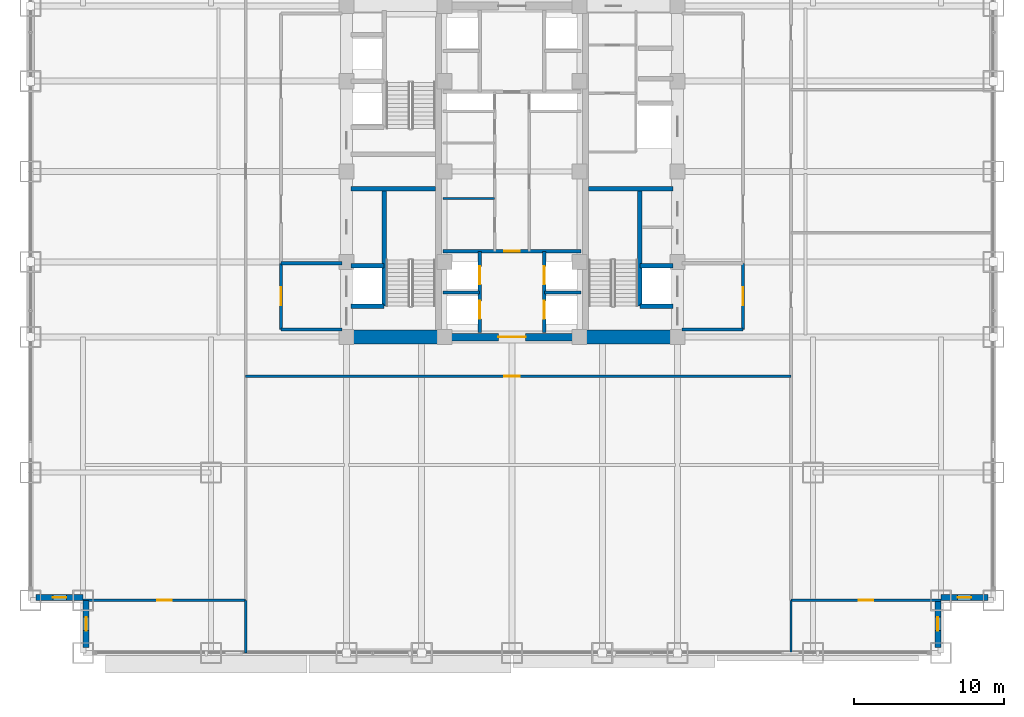
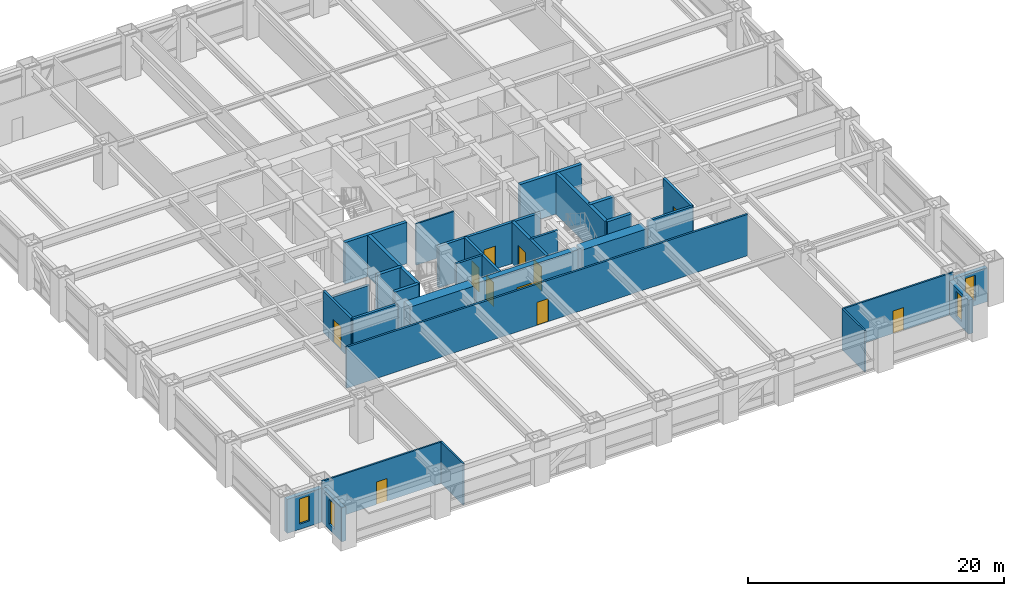
# One storey, part 23 of 31: 31 walls, 11 doors, 4 windows, 15 openings.
"""IFC4 building model written with IfcOpenShell, lengths in metres."""

import ifcopenshell
import ifcopenshell.guid

model = None  # the IFC model being written
_history = None  # IfcOwnerHistory: only IFC2X3 demands one
_inside = {}  # id of a spatial element -> (the spatial element, [elements in it])
_under = {}  # id of a project, library or spatial element -> (it, [spatial elements below it])
_declared = {}  # id of a project -> (the project, [libraries it declares])
_typed = {}  # id of a type object -> (the type object, [elements of that type])
_made_of = {}  # id of a material, layer set ... -> (it, [elements and type objects made of it])


def new_model(schema):
    """Start an empty IFC model of exactly this schema.

    Asked for "IFC4X3", IfcOpenShell would pick the latest addendum, in which some entities
    have other attributes; the version numbers below select the first issue.
    IFC2X3 requires an IfcOwnerHistory on every rooted entity: one is made here for all.
    """
    global model, _history
    if schema == "IFC4X3":
        model = ifcopenshell.file(schema_version=(4, 3, 0, 0))
    else:
        model = ifcopenshell.file(schema=schema)
    _inside.clear()
    _under.clear()
    _declared.clear()
    _typed.clear()
    _made_of.clear()
    _history = None
    if model.schema == "IFC2X3":
        org = make("IfcOrganization", Name="unknown")
        user = make(
            "IfcPersonAndOrganization",
            ThePerson=make("IfcPerson", FamilyName="unknown"),
            TheOrganization=org,
        )
        app = make(
            "IfcApplication",
            ApplicationDeveloper=org,
            Version="unknown",
            ApplicationFullName="unknown",
            ApplicationIdentifier="unknown",
        )
        _history = make(
            "IfcOwnerHistory",
            OwningUser=user,
            OwningApplication=app,
            ChangeAction="ADDED",
            CreationDate=0,
        )
    return model


def make(cls, **values):
    """One entity of the class cls with the attributes given. An attribute that is None is left unset."""
    return model.create_entity(
        cls, **{name: value for name, value in values.items() if value is not None}
    )


def rooted(cls, **values):
    """An entity with a GlobalId (a new one), such as an element, a storey or a relation."""
    return make(cls, GlobalId=ifcopenshell.guid.new(), OwnerHistory=_history, **values)


def si_unit(unit_type, name, prefix=None):
    """IfcSIUnit, for example si_unit("LENGTHUNIT", "METRE", prefix="MILLI")."""
    return make("IfcSIUnit", UnitType=unit_type, Prefix=prefix, Name=name)


def assignment(units):
    """IfcUnitAssignment: the units of a project."""
    return None if units is None else make("IfcUnitAssignment", Units=units)


def point(xyz):
    """IfcCartesianPoint."""
    return None if xyz is None else make("IfcCartesianPoint", Coordinates=xyz)


def direction(xyz):
    """IfcDirection."""
    return None if xyz is None else make("IfcDirection", DirectionRatios=xyz)


def frame(location, z_axis=None, x_axis=None):
    """IfcAxis2Placement3D, a coordinate frame: its origin and axes. An axis left out is left unset."""
    return make(
        "IfcAxis2Placement3D",
        Location=point(location),
        Axis=direction(z_axis),
        RefDirection=direction(x_axis),
    )


def frame_2d(location, x_axis=None):
    """IfcAxis2Placement2D, a coordinate frame in the plane: its origin and x axis."""
    return make(
        "IfcAxis2Placement2D", Location=point(location), RefDirection=direction(x_axis)
    )


def origin():
    """The frame at (0, 0, 0) with its axes left unset."""
    return frame((0.0, 0.0, 0.0))


def place(relative_to, where):
    """IfcLocalPlacement: puts the frame where relative to a parent placement (None: the world)."""
    return make(
        "IfcLocalPlacement", PlacementRelTo=relative_to, RelativePlacement=where
    )


def context(
    kind, dimensions, precision=None, world=None, true_north=None, identifier=None
):
    """IfcGeometricRepresentationContext, for example the 3D "Model" context."""
    return make(
        "IfcGeometricRepresentationContext",
        ContextIdentifier=identifier,
        ContextType=kind,
        CoordinateSpaceDimension=dimensions,
        Precision=precision,
        WorldCoordinateSystem=world,
        TrueNorth=true_north,
    )


def subcontext(parent, identifier, kind, view, scale=None):
    """IfcGeometricRepresentationSubContext, for example "Body" below "Model"."""
    return make(
        "IfcGeometricRepresentationSubContext",
        ContextIdentifier=identifier,
        ContextType=kind,
        ParentContext=parent,
        TargetScale=scale,
        TargetView=view,
    )


def project(units=None, contexts=None):
    """IfcProject with its units and contexts."""
    return rooted(
        "IfcProject",
        Name="project",
        RepresentationContexts=contexts,
        UnitsInContext=assignment(units),
    )


def spatial(cls, under=None, at=None, **own):
    """A site, building, storey or space (cls), placed at a placement, below another one or the project."""
    s = rooted(cls, ObjectPlacement=at, **own)
    if under is not None:
        _under.setdefault(under.id(), (under, []))[1].append(s)
    return s


def profile(cls, at=None, kind="AREA", **sizes):
    """A parametric profile (cls). Its sizes go by their IFC names, for example OverallWidth=200.0."""
    return make(cls, ProfileType=kind, Position=at, **sizes)


def rectangle(**sizes):
    """IfcRectangleProfileDef."""
    return profile("IfcRectangleProfileDef", **sizes)


def extrude(swept, where, along, depth):
    """IfcExtrudedAreaSolid: the profile swept, set in the frame where, extruded along a direction by depth."""
    return make(
        "IfcExtrudedAreaSolid",
        SweptArea=swept,
        Position=where,
        ExtrudedDirection=direction(along),
        Depth=depth,
    )


def shape(context_of_items, identifier, shape_type, items):
    """IfcShapeRepresentation: the items that make up one representation, for example the "Body"."""
    return make(
        "IfcShapeRepresentation",
        ContextOfItems=context_of_items,
        RepresentationIdentifier=identifier,
        RepresentationType=shape_type,
        Items=items,
    )


def source(mapping_origin, context_of_items, identifier, shape_type, items):
    """IfcRepresentationMap: a shape defined once, which mapped items show again and again."""
    return make(
        "IfcRepresentationMap",
        MappingOrigin=mapping_origin,
        MappedRepresentation=shape(context_of_items, identifier, shape_type, items),
    )


def transform(
    local_origin,
    x_axis=None,
    y_axis=None,
    z_axis=None,
    scale=None,
    scale2=None,
    scale3=None,
    uniform=True,
):
    """IfcCartesianTransformationOperator3D, or its non-uniform kind. x_axis, y_axis, z_axis: its Axis1, 2, 3."""
    if uniform:
        return make(
            "IfcCartesianTransformationOperator3D",
            Axis1=direction(x_axis),
            Axis2=direction(y_axis),
            LocalOrigin=point(local_origin),
            Scale=scale,
            Axis3=direction(z_axis),
        )
    return make(
        "IfcCartesianTransformationOperator3DnonUniform",
        Axis1=direction(x_axis),
        Axis2=direction(y_axis),
        LocalOrigin=point(local_origin),
        Scale=scale,
        Axis3=direction(z_axis),
        Scale2=scale2,
        Scale3=scale3,
    )


def mapped(mapping_source, mapping_target):
    """IfcMappedItem: shows the shape of a source again, moved by a transform."""
    return make(
        "IfcMappedItem", MappingSource=mapping_source, MappingTarget=mapping_target
    )


def material(Name=None, Category=None):
    """IfcMaterial."""
    return make("IfcMaterial", Name=Name, Category=Category)


def layer(
    of_material, thickness, ventilated=None, Name=None, Category=None, Priority=None
):
    """IfcMaterialLayer: one layer of a wall or slab, of a material (None: an air gap)."""
    return make(
        "IfcMaterialLayer",
        Material=of_material,
        LayerThickness=thickness,
        IsVentilated=ventilated,
        Name=Name,
        Category=Category,
        Priority=Priority,
    )


def layer_set(layers, Name=None):
    """IfcMaterialLayerSet."""
    return make("IfcMaterialLayerSet", MaterialLayers=layers, LayerSetName=Name)


def made_of(thing, what):
    """Note that an element or type object is made of a material, layer set ...; save() writes the relation."""
    if what is not None:
        _made_of.setdefault(what.id(), (what, []))[1].append(thing)
    return thing


def type_object(cls, material=None, **own):
    """A type object (cls), such as IfcWallType, which elements share."""
    return made_of(rooted(cls, **own), material)


def element(
    cls,
    number,
    at=None,
    inside=None,
    cuts=None,
    type_object=None,
    material=None,
    context=None,
    identifier="Body",
    shape_type=None,
    held_by="IfcProductDefinitionShape",
    body=None,
    shapes=None,
    **own,
):
    """One element of the class cls, such as IfcWall. Its Tag is "e" and its number.

    at: its placement. inside: the storey or other place that contains it. cuts: it is an
    opening in that element (IfcRelVoidsElement). A single representation is given by context,
    identifier, shape_type and body (its items); several are given by shapes. held_by: the class
    of the entity that holds the representations. save() writes the other relations.
    """
    e = rooted(cls, Tag="e%d" % number, ObjectPlacement=at, **own)
    if body is not None:
        shapes = [shape(context, identifier, shape_type, body)]
    if shapes is not None:
        e.Representation = make(held_by, Representations=shapes)
    if inside is not None:
        _inside.setdefault(inside.id(), (inside, []))[1].append(e)
    if cuts is not None:
        rooted(
            "IfcRelVoidsElement", RelatingBuildingElement=cuts, RelatedOpeningElement=e
        )
    if type_object is not None:
        _typed.setdefault(type_object.id(), (type_object, []))[1].append(e)
    return made_of(e, material)


def fill(opening, filler):
    """IfcRelFillsElement: the door or window that sits in an opening."""
    return rooted(
        "IfcRelFillsElement",
        RelatingOpeningElement=opening,
        RelatedBuildingElement=filler,
    )


def aggregate(whole, parts):
    """IfcRelAggregates: a whole, such as a stair, and the parts it consists of."""
    return rooted("IfcRelAggregates", RelatingObject=whole, RelatedObjects=parts)


def save(model, path):
    """Write the relations noted so far, then the file.

    IfcRelAggregates (storeys below a building ...), IfcRelContainedInSpatialStructure (elements
    in a storey), IfcRelDefinesByType, IfcRelAssociatesMaterial and IfcRelDeclares: one each for
    every whole, place, type object, material and project.
    """
    for whole, parts in _under.values():
        aggregate(whole, parts)
    for where, things in _inside.values():
        rooted(
            "IfcRelContainedInSpatialStructure",
            RelatedElements=things,
            RelatingStructure=where,
        )
    for kind, things in _typed.values():
        rooted("IfcRelDefinesByType", RelatedObjects=things, RelatingType=kind)
    for what, things in _made_of.values():
        rooted("IfcRelAssociatesMaterial", RelatedObjects=things, RelatingMaterial=what)
    for by, libraries in _declared.values():
        rooted("IfcRelDeclares", RelatingContext=by, RelatedDefinitions=libraries)
    model.write(path)


model = new_model("IFC4")

# Units and contexts
model_context = context("Model", 3, precision=1e-05, world=origin(), true_north=direction((0.0, 1.0)))
body_context = subcontext(model_context, "Body", "Model", "MODEL_VIEW")
ifc_project = project(units=[si_unit("LENGTHUNIT", "METRE"), si_unit("AREAUNIT", "SQUARE_METRE"), si_unit("VOLUMEUNIT", "CUBIC_METRE"), si_unit("PLANEANGLEUNIT", "RADIAN"), si_unit("MASSUNIT", "GRAM", prefix="KILO")], contexts=[model_context])

# Site, building, storey
site_placement = place(None, origin())
site = spatial("IfcSite", under=ifc_project, at=site_placement, CompositionType="ELEMENT")
building_placement = place(site_placement, origin())
building = spatial("IfcBuilding", under=site, at=building_placement, Name="Khorayat Bourse Tower", CompositionType="ELEMENT")
storey_placement = place(building_placement, frame((0.0, 0.0, 36.800048828125)))
storey = spatial("IfcBuildingStorey", under=building, at=storey_placement, Name="L07", CompositionType="ELEMENT", Elevation=36.800048828125)

# Walls
ifc_material_1 = material(Name="Concrete C72/90", Category="concrete")
ifc_layer_1 = layer(ifc_material_1, 0.89990234375)
ifc_layer_set_1 = layer_set([ifc_layer_1], Name="Concrete C72/90")
wall_type_1 = type_object("IfcWallType", Name="WAL-CORE-900", PredefinedType="SHEAR", material=ifc_layer_set_1)
shared_shape_1 = source(origin(), body_context, "Body", "SweptSolid", [
    extrude(rectangle(XDim=5.849853515625, YDim=0.89990234375, at=frame_2d((2.9248046875, 0.0))), origin(), (0.0, 0.0, 1.0), 3.93994140625),
])
for number, where, z_axis, x_axis, name in (
    (1, (-10.699951171875, -11.0, 0.0), (0.0, 0.0, 1.0), (1.0, 0.0, 0.0), "L07 Core Shear Wall PIER-WS"),
    (2, (4.85009765625, -11.0, 0.0), (0.0, 0.0, 1.0), (1.0, 0.0, 0.0), "L07 Core Shear Wall PIER-ES"),
):
    element("IfcWall", number, at=place(storey_placement, frame(where, z_axis=z_axis, x_axis=x_axis)), inside=storey, type_object=wall_type_1, Name=name, PredefinedType="SHEAR", context=body_context, shape_type="MappedRepresentation", body=[
        mapped(shared_shape_1, transform((0.0, 0.0, 0.0), scale=1.0)),
    ])
ifc_material_2 = material(Name="Concrete C50/60", Category="concrete")
ifc_layer_2 = layer(ifc_material_2, 0.300048828125)
ifc_layer_set_2 = layer_set([ifc_layer_2], Name="Concrete C50/60")
wall_type_2 = type_object("IfcWallType", Name="WAL-SHAFT-300", PredefinedType="SHEAR", material=ifc_layer_set_2)
shared_shape_2 = source(origin(), body_context, "Body", "SweptSolid", [
    extrude(rectangle(XDim=5.599853515625, YDim=0.300048828125, at=frame_2d((2.7998046875, 0.0))), origin(), (0.0, 0.0, 1.0), 3.93994140625),
])
for number, where, z_axis, x_axis, name in (
    (3, (-10.699951171875, -1.14990234375, 0.0), (0.0, 0.0, 1.0), (1.0, 0.0, 0.0), "L07 Core Shear Wall ST1-DIV"),
    (4, (5.10009765625, -1.14990234375, 0.0), (0.0, 0.0, 1.0), (1.0, 0.0, 0.0), "L07 Core Shear Wall ST3-DIV"),
):
    element("IfcWall", number, at=place(storey_placement, frame(where, z_axis=z_axis, x_axis=x_axis)), inside=storey, type_object=wall_type_2, Name=name, PredefinedType="SHEAR", context=body_context, shape_type="MappedRepresentation", body=[
        mapped(shared_shape_2, transform((0.0, 0.0, 0.0), scale=1.0)),
    ])

# Wall, opening, door
ifc_material_3 = material(Name="Concrete C52/65", Category="concrete")
ifc_layer_3 = layer(ifc_material_3, 0.5)
ifc_layer_set_3 = layer_set([ifc_layer_3], Name="Concrete C52/65")
wall_type_3 = type_object("IfcWallType", Name="WAL-CORE-500", PredefinedType="SHEAR", material=ifc_layer_set_3)
shared_shape_3 = source(origin(), body_context, "Body", "SweptSolid", [
    extrude(rectangle(XDim=9.2001953125, YDim=0.5, at=frame_2d((4.60009765625, 0.0))), origin(), (0.0, 0.0, 1.0), 3.93994140625),
])
wall_1_placement = place(storey_placement, frame((-4.60009765625, -11.0, 0.0), z_axis=(0.0, 0.0, 1.0), x_axis=(1.0, 0.0, 0.0)))
wall_1 = element("IfcWall", 5, at=wall_1_placement, inside=storey, type_object=wall_type_3, Name="L07 Core Shear Wall CORE-S", PredefinedType="SHEAR", context=body_context, shape_type="MappedRepresentation", body=[
    mapped(shared_shape_3, transform((0.0, 0.0, 0.0), scale=1.0)),
])
shared_shape_4 = source(origin(), body_context, "Body", "SweptSolid", [
    extrude(rectangle(XDim=1.800048828125, YDim=2.25, at=frame_2d((0.89990234375, 1.125))), frame((0.0, 0.260009765625, 0.0), z_axis=(0.0, -1.0, 0.0), x_axis=(1.0, 0.0, 0.0)), (0.0, 0.0, 1.0), 0.52001953125),
])
opening_1_placement = place(wall_1_placement, frame((3.699951171875, 0.0, 0.0)))
opening_1 = element("IfcOpeningElement", 6, at=opening_1_placement, cuts=wall_1, Name="Opening DI-03", PredefinedType="OPENING", context=body_context, shape_type="MappedRepresentation", body=[
    mapped(shared_shape_4, transform((0.0, 0.0, 0.0), scale=1.0)),
])
ifc_material_4 = material(Name="Fire-rated hardwood vision-panel double leaf", Category="wood")
door_type_1 = type_object("IfcDoorType", Name="DR-INT-CORR-1800", OperationType="NOTDEFINED", PredefinedType="DOOR", material=ifc_material_4)
shared_shape_5 = source(origin(), body_context, "Body", "SweptSolid", [
    extrude(rectangle(XDim=1.800048828125, YDim=2.25, at=frame_2d((0.89990234375, 1.125))), frame((0.0, 0.02490234375, 0.0), z_axis=(0.0, -1.0, 0.0), x_axis=(1.0, 0.0, 0.0)), (0.0, 0.0, 1.0), 0.050048828125),
])
door_1_placement = place(opening_1_placement, origin())
door_1 = element("IfcDoor", 7, at=door_1_placement, inside=storey, type_object=door_type_1, Name="L07 Low-Rise Lift Lobby Door", OperationType="SINGLE_SWING_LEFT", OverallHeight=2.25, OverallWidth=1.800048828125, PredefinedType="DOOR", context=body_context, shape_type="MappedRepresentation", body=[
    mapped(shared_shape_5, transform((0.0, 0.0, 0.0), scale=1.0)),
])
fill(opening_1, door_1)

# Wall, opening, window
ifc_material_5 = material(Name="Precast concrete C45/55", Category="concrete")
ifc_layer_4 = layer(ifc_material_5, 0.3798828125)
ifc_layer_set_4 = layer_set([ifc_layer_4], Name="Precast concrete C45/55")
wall_type_4 = type_object("IfcWallType", Name="WAL-EXT-STONE-380", PredefinedType="STANDARD", material=ifc_layer_set_4)
shared_shape_6 = source(origin(), body_context, "Body", "SweptSolid", [
    extrude(rectangle(XDim=3.1201171875, YDim=0.3798828125, at=frame_2d((1.56005859375, 0.0))), origin(), (0.0, 0.0, 1.0), 3.244873046875),
])
wall_2_placement = place(storey_placement, frame((-28.5, -28.31005859375, 0.0), z_axis=(0.0, 0.0, 1.0), x_axis=(-1.0, 0.0, 0.0)))
wall_2 = element("IfcWall", 8, at=wall_2_placement, inside=storey, type_object=wall_type_4, Name="L07 Re-Entrant Notch Limestone Wall SW-H", PredefinedType="STANDARD", context=body_context, shape_type="MappedRepresentation", body=[
    mapped(shared_shape_6, transform((0.0, 0.0, 0.0), scale=1.0)),
])
shared_shape_7 = source(origin(), body_context, "Body", "SweptSolid", [
    extrude(rectangle(XDim=0.89990234375, YDim=2.39990234375, at=frame_2d((0.449951171875, 1.199951171875))), frame((0.0, 0.199951171875, 0.0), z_axis=(0.0, -1.0, 0.0), x_axis=(1.0, 0.0, 0.0)), (0.0, 0.0, 1.0), 0.39990234375),
])
opening_2_placement = place(wall_2_placement, frame((1.110107421875, 0.0, 0.5)))
opening_2 = element("IfcOpeningElement", 9, at=opening_2_placement, cuts=wall_2, Name="Opening WN-03", PredefinedType="OPENING", context=body_context, shape_type="MappedRepresentation", body=[
    mapped(shared_shape_7, transform((0.0, 0.0, 0.0), scale=1.0)),
])
ifc_material_6 = material(Name="Deep-reveal solar-control double glazing", Category="glass")
window_type = type_object("IfcWindowType", Name="WIN-SLOT-900x2400", PartitioningType="SINGLE_PANEL", PredefinedType="WINDOW", material=ifc_material_6)
shared_shape_8 = source(origin(), body_context, "Body", "SweptSolid", [
    extrude(rectangle(XDim=0.89990234375, YDim=2.39990234375, at=frame_2d((0.449951171875, 1.199951171875))), frame((0.0, 0.030029296875, 0.0), z_axis=(0.0, -1.0, 0.0), x_axis=(1.0, 0.0, 0.0)), (0.0, 0.0, 1.0), 0.06005859375),
])
window_1_placement = place(opening_2_placement, origin())
window_1 = element("IfcWindow", 10, at=window_1_placement, inside=storey, type_object=window_type, Name="L07 Facade Window 1", OverallHeight=2.39990234375, OverallWidth=0.89990234375, PartitioningType="SINGLE_PANEL", PredefinedType="WINDOW", context=body_context, shape_type="MappedRepresentation", body=[
    mapped(shared_shape_8, transform((0.0, 0.0, 0.0), scale=1.0)),
])
fill(opening_2, window_1)

wall_3_placement = place(storey_placement, frame((-28.31005859375, -31.6201171875, 0.0), z_axis=(0.0, 0.0, 1.0), x_axis=(0.0, 1.0, 0.0)))
wall_3 = element("IfcWall", 11, at=wall_3_placement, inside=storey, type_object=wall_type_4, Name="L07 Re-Entrant Notch Limestone Wall SW-V", PredefinedType="STANDARD", context=body_context, shape_type="MappedRepresentation", body=[
    mapped(shared_shape_6, transform((0.0, 0.0, 0.0), scale=1.0)),
])
opening_3_placement = place(wall_3_placement, frame((1.110107421875, 0.0, 0.5)))
opening_3 = element("IfcOpeningElement", 12, at=opening_3_placement, cuts=wall_3, Name="Opening WN-03", PredefinedType="OPENING", context=body_context, shape_type="MappedRepresentation", body=[
    mapped(shared_shape_7, transform((0.0, 0.0, 0.0), scale=1.0)),
])
window_2_placement = place(opening_3_placement, origin())
window_2 = element("IfcWindow", 13, at=window_2_placement, inside=storey, type_object=window_type, Name="L07 Facade Window 1", OverallHeight=2.39990234375, OverallWidth=0.89990234375, PartitioningType="SINGLE_PANEL", PredefinedType="WINDOW", context=body_context, shape_type="MappedRepresentation", body=[
    mapped(shared_shape_8, transform((0.0, 0.0, 0.0), scale=1.0)),
])
fill(opening_3, window_2)

wall_4_placement = place(storey_placement, frame((28.31005859375, -31.6201171875, 0.0), z_axis=(0.0, 0.0, 1.0), x_axis=(0.0, 1.0, 0.0)))
wall_4 = element("IfcWall", 14, at=wall_4_placement, inside=storey, type_object=wall_type_4, Name="L07 Re-Entrant Notch Limestone Wall SE-V", PredefinedType="STANDARD", context=body_context, shape_type="MappedRepresentation", body=[
    mapped(shared_shape_6, transform((0.0, 0.0, 0.0), scale=1.0)),
])
opening_4_placement = place(wall_4_placement, frame((1.110107421875, 0.0, 0.5)))
opening_4 = element("IfcOpeningElement", 15, at=opening_4_placement, cuts=wall_4, Name="Opening WN-03", PredefinedType="OPENING", context=body_context, shape_type="MappedRepresentation", body=[
    mapped(shared_shape_7, transform((0.0, 0.0, 0.0), scale=1.0)),
])
window_3_placement = place(opening_4_placement, origin())
window_3 = element("IfcWindow", 16, at=window_3_placement, inside=storey, type_object=window_type, Name="L07 Facade Window 1", OverallHeight=2.39990234375, OverallWidth=0.89990234375, PartitioningType="SINGLE_PANEL", PredefinedType="WINDOW", context=body_context, shape_type="MappedRepresentation", body=[
    mapped(shared_shape_8, transform((0.0, 0.0, 0.0), scale=1.0)),
])
fill(opening_4, window_3)

wall_5_placement = place(storey_placement, frame((28.5, -28.31005859375, 0.0), z_axis=(0.0, 0.0, 1.0), x_axis=(1.0, 0.0, 0.0)))
wall_5 = element("IfcWall", 17, at=wall_5_placement, inside=storey, type_object=wall_type_4, Name="L07 Re-Entrant Notch Limestone Wall SE-H", PredefinedType="STANDARD", context=body_context, shape_type="MappedRepresentation", body=[
    mapped(shared_shape_6, transform((0.0, 0.0, 0.0), scale=1.0)),
])
opening_5_placement = place(wall_5_placement, frame((1.110107421875, 0.0, 0.5)))
opening_5 = element("IfcOpeningElement", 18, at=opening_5_placement, cuts=wall_5, Name="Opening WN-03", PredefinedType="OPENING", context=body_context, shape_type="MappedRepresentation", body=[
    mapped(shared_shape_7, transform((0.0, 0.0, 0.0), scale=1.0)),
])
window_4_placement = place(opening_5_placement, origin())
window_4 = element("IfcWindow", 19, at=window_4_placement, inside=storey, type_object=window_type, Name="L07 Facade Window 1", OverallHeight=2.39990234375, OverallWidth=0.89990234375, PartitioningType="SINGLE_PANEL", PredefinedType="WINDOW", context=body_context, shape_type="MappedRepresentation", body=[
    mapped(shared_shape_8, transform((0.0, 0.0, 0.0), scale=1.0)),
])
fill(opening_5, window_4)

# Walls
shared_shape_9 = source(origin(), body_context, "Body", "SweptSolid", [
    extrude(rectangle(XDim=7.800048828125, YDim=0.300048828125, at=frame_2d((3.89990234375, 0.0))), origin(), (0.0, 0.0, 1.0), 3.93994140625),
])
for number, where, z_axis, x_axis, name in (
    (20, (-8.5, -8.949951171875, 0.0), (0.0, 0.0, 1.0), (0.0, 1.0, 0.0), "L07 Partition WAL-L07-WPIER-SP"),
    (21, (8.5, -8.949951171875, 0.0), (0.0, 0.0, 1.0), (0.0, 1.0, 0.0), "L07 Partition WAL-L07-EPIER-SP"),
):
    element("IfcWall", number, at=place(storey_placement, frame(where, z_axis=z_axis, x_axis=x_axis)), inside=storey, type_object=wall_type_2, Name=name, PredefinedType="SHEAR", context=body_context, shape_type="MappedRepresentation", body=[
        mapped(shared_shape_9, transform((0.0, 0.0, 0.0), scale=1.0)),
    ])
shared_shape_10 = source(origin(), body_context, "Body", "SweptSolid", [
    extrude(rectangle(XDim=2.199951171875, YDim=0.300048828125, at=frame_2d((1.10009765625, 0.0))), origin(), (0.0, 0.0, 1.0), 3.93994140625),
])
for number, where, z_axis, x_axis, name in (
    (22, (-10.699951171875, -8.949951171875, 0.0), (0.0, 0.0, 1.0), (1.0, 0.0, 0.0), "L07 Partition WAL-L07-WPIER-FF1S"),
    (23, (-10.699951171875, -6.25, 0.0), (0.0, 0.0, 1.0), (1.0, 0.0, 0.0), "L07 Partition WAL-L07-WPIER-FF1N"),
    (24, (8.5, -8.949951171875, 0.0), (0.0, 0.0, 1.0), (1.0, 0.0, 0.0), "L07 Partition WAL-L07-EPIER-FF2S"),
    (25, (8.5, -6.25, 0.0), (0.0, 0.0, 1.0), (1.0, 0.0, 0.0), "L07 Partition WAL-L07-EPIER-FF2N"),
):
    element("IfcWall", number, at=place(storey_placement, frame(where, z_axis=z_axis, x_axis=x_axis)), inside=storey, type_object=wall_type_2, Name=name, PredefinedType="SHEAR", context=body_context, shape_type="MappedRepresentation", body=[
        mapped(shared_shape_10, transform((0.0, 0.0, 0.0), scale=1.0)),
    ])
ifc_material_7 = material(Name="Aerated concrete blockwork", Category="masonry")
ifc_layer_5 = layer(ifc_material_7, 0.219970703125)
ifc_layer_set_5 = layer_set([ifc_layer_5], Name="Aerated concrete blockwork")
wall_type_5 = type_object("IfcWallType", Name="WAL-PART-FF-220", PredefinedType="PARTITIONING", material=ifc_layer_set_5)
shared_shape_11 = source(origin(), body_context, "Body", "SweptSolid", [
    extrude(rectangle(XDim=4.050048828125, YDim=0.219970703125, at=frame_2d((2.02490234375, 0.0))), origin(), (0.0, 0.0, 1.0), 3.93994140625),
])
for number, where, z_axis, x_axis, name in (
    (26, (-15.35009765625, -10.5, 0.0), (0.0, 0.0, 1.0), (1.0, 0.0, 0.0), "L07 Partition WAL-L07-FFLW-S"),
    (27, (11.300048828125, -10.5, 0.0), (0.0, 0.0, 1.0), (1.0, 0.0, 0.0), "L07 Partition WAL-L07-FFLE-S"),
):
    element("IfcWall", number, at=place(storey_placement, frame(where, z_axis=z_axis, x_axis=x_axis)), inside=storey, type_object=wall_type_5, Name=name, PredefinedType="PARTITIONING", context=body_context, shape_type="MappedRepresentation", body=[
        mapped(shared_shape_11, transform((0.0, 0.0, 0.0), scale=1.0)),
    ])
shared_shape_12 = source(origin(), body_context, "Body", "SweptSolid", [
    extrude(rectangle(XDim=4.050048828125, YDim=0.219970703125, at=frame_2d((2.02490234375, 0.0))), origin(), (0.0, 0.0, 1.0), 3.0849609375),
])
wall_6_placement = place(storey_placement, frame((-15.35009765625, -6.10009765625, 0.0), z_axis=(0.0, 0.0, 1.0), x_axis=(1.0, 0.0, 0.0)))
element("IfcWall", 28, at=wall_6_placement, inside=storey, type_object=wall_type_5, Name="L07 Partition WAL-L07-FFLW-N", PredefinedType="PARTITIONING", context=body_context, shape_type="MappedRepresentation", body=[
    mapped(shared_shape_12, transform((0.0, 0.0, 0.0), scale=1.0)),
])

# Wall, opening, door
shared_shape_13 = source(origin(), body_context, "Body", "SweptSolid", [
    extrude(rectangle(XDim=4.39990234375, YDim=0.219970703125, at=frame_2d((2.199951171875, 0.0))), origin(), (0.0, 0.0, 1.0), 3.93994140625),
])
wall_7_placement = place(storey_placement, frame((-15.35009765625, -10.5, 0.0), z_axis=(0.0, 0.0, 1.0), x_axis=(0.0, 1.0, 0.0)))
wall_7 = element("IfcWall", 29, at=wall_7_placement, inside=storey, type_object=wall_type_5, Name="L07 Partition WAL-L07-FFLW-W", PredefinedType="PARTITIONING", context=body_context, shape_type="MappedRepresentation", body=[
    mapped(shared_shape_13, transform((0.0, 0.0, 0.0), scale=1.0)),
])
shared_shape_14 = source(origin(), body_context, "Body", "SweptSolid", [
    extrude(rectangle(XDim=1.199951171875, YDim=2.199951171875, at=frame_2d((0.60009765625, 1.10009765625))), frame((0.0, 0.119873046875, 0.0), z_axis=(0.0, -1.0, 0.0), x_axis=(1.0, 0.0, 0.0)), (0.0, 0.0, 1.0), 0.239990234375),
])
opening_6_placement = place(wall_7_placement, frame((1.60009765625, 0.0, 0.0)))
opening_6 = element("IfcOpeningElement", 30, at=opening_6_placement, cuts=wall_7, Name="Opening DI-02", PredefinedType="OPENING", context=body_context, shape_type="MappedRepresentation", body=[
    mapped(shared_shape_14, transform((0.0, 0.0, 0.0), scale=1.0)),
])
ifc_material_8 = material(Name="Fire-rated steel double-seal leaf", Category="steel")
door_type_2 = type_object("IfcDoorType", Name="DR-INT-FFLOBBY-1200", OperationType="NOTDEFINED", PredefinedType="DOOR", material=ifc_material_8)
shared_shape_15 = source(origin(), body_context, "Body", "SweptSolid", [
    extrude(rectangle(XDim=1.199951171875, YDim=2.199951171875, at=frame_2d((0.60009765625, 1.10009765625))), frame((0.0, 0.02490234375, 0.0), z_axis=(0.0, -1.0, 0.0), x_axis=(1.0, 0.0, 0.0)), (0.0, 0.0, 1.0), 0.050048828125),
])
door_2_placement = place(opening_6_placement, origin())
door_2 = element("IfcDoor", 31, at=door_2_placement, inside=storey, type_object=door_type_2, Name="L07 West Firefighting Lobby Door", OperationType="SINGLE_SWING_LEFT", OverallHeight=2.199951171875, OverallWidth=1.199951171875, PredefinedType="DOOR", context=body_context, shape_type="MappedRepresentation", body=[
    mapped(shared_shape_15, transform((0.0, 0.0, 0.0), scale=1.0)),
])
fill(opening_6, door_2)

wall_8_placement = place(storey_placement, frame((15.35009765625, -10.5, 0.0), z_axis=(0.0, 0.0, 1.0), x_axis=(0.0, 1.0, 0.0)))
wall_8 = element("IfcWall", 32, at=wall_8_placement, inside=storey, type_object=wall_type_5, Name="L07 Partition WAL-L07-FFLE-E", PredefinedType="PARTITIONING", context=body_context, shape_type="MappedRepresentation", body=[
    mapped(shared_shape_13, transform((0.0, 0.0, 0.0), scale=1.0)),
])
opening_7_placement = place(wall_8_placement, frame((1.60009765625, 0.0, 0.0)))
opening_7 = element("IfcOpeningElement", 33, at=opening_7_placement, cuts=wall_8, Name="Opening DI-02", PredefinedType="OPENING", context=body_context, shape_type="MappedRepresentation", body=[
    mapped(shared_shape_14, transform((0.0, 0.0, 0.0), scale=1.0)),
])
door_3_placement = place(opening_7_placement, origin())
door_3 = element("IfcDoor", 34, at=door_3_placement, inside=storey, type_object=door_type_2, Name="L07 East Firefighting Lobby Door", OperationType="SINGLE_SWING_RIGHT", OverallHeight=2.199951171875, OverallWidth=1.199951171875, PredefinedType="DOOR", context=body_context, shape_type="MappedRepresentation", body=[
    mapped(shared_shape_15, transform((0.0, 0.0, 0.0), scale=1.0)),
])
fill(opening_7, door_3)

# Wall, openings, doors
shared_shape_16 = source(origin(), body_context, "Body", "SweptSolid", [
    extrude(rectangle(XDim=5.39990234375, YDim=0.25, at=frame_2d((2.699951171875, 0.0))), origin(), (0.0, 0.0, 1.0), 3.93994140625),
])
wall_9_placement = place(storey_placement, frame((-2.14990234375, -10.699951171875, 0.0), z_axis=(0.0, 0.0, 1.0), x_axis=(0.0, 1.0, 0.0)))
wall_9 = element("IfcWall", 35, at=wall_9_placement, inside=storey, type_object=wall_type_2, Name="L07 Partition WAL-L07-B1-W", PredefinedType="SHEAR", context=body_context, shape_type="MappedRepresentation", body=[
    mapped(shared_shape_16, transform((0.0, 0.0, 0.0), scale=1.0)),
])
shared_shape_17 = source(origin(), body_context, "Body", "SweptSolid", [
    extrude(rectangle(XDim=1.199951171875, YDim=2.300048828125, at=frame_2d((0.60009765625, 1.14990234375))), frame((0.0, 0.135009765625, 0.0), z_axis=(0.0, -1.0, 0.0), x_axis=(1.0, 0.0, 0.0)), (0.0, 0.0, 1.0), 0.27001953125),
])
opening_8_placement = place(wall_9_placement, frame((0.89990234375, 0.0, 0.0)))
opening_8 = element("IfcOpeningElement", 36, at=opening_8_placement, cuts=wall_9, Name="Opening LD-01", PredefinedType="OPENING", context=body_context, shape_type="MappedRepresentation", body=[
    mapped(shared_shape_17, transform((0.0, 0.0, 0.0), scale=1.0)),
])
opening_9_placement = place(wall_9_placement, frame((3.199951171875, 0.0, 0.0)))
opening_9 = element("IfcOpeningElement", 37, at=opening_9_placement, cuts=wall_9, Name="Opening LD-01", PredefinedType="OPENING", context=body_context, shape_type="MappedRepresentation", body=[
    mapped(shared_shape_17, transform((0.0, 0.0, 0.0), scale=1.0)),
])
ifc_material_9 = material(Name="Brushed bronze stainless-steel sliding door", Category="steel")
door_type_3 = type_object("IfcDoorType", Name="DR-LIFT-PASS-1200", OperationType="NOTDEFINED", PredefinedType="DOOR", material=ifc_material_9)
shared_shape_18 = source(origin(), body_context, "Body", "SweptSolid", [
    extrude(rectangle(XDim=1.199951171875, YDim=2.300048828125, at=frame_2d((0.60009765625, 1.14990234375))), frame((0.0, 0.02490234375, 0.0), z_axis=(0.0, -1.0, 0.0), x_axis=(1.0, 0.0, 0.0)), (0.0, 0.0, 1.0), 0.050048828125),
])
door_4_placement = place(opening_8_placement, origin())
door_4 = element("IfcDoor", 38, at=door_4_placement, inside=storey, type_object=door_type_3, Name="L07 Lift PL-L1 Sliding Landing Door", OperationType="SLIDING_TO_LEFT", OverallHeight=2.300048828125, OverallWidth=1.199951171875, PredefinedType="DOOR", context=body_context, shape_type="MappedRepresentation", body=[
    mapped(shared_shape_18, transform((0.0, 0.0, 0.0), scale=1.0)),
])
fill(opening_8, door_4)
door_5_placement = place(opening_9_placement, origin())
door_5 = element("IfcDoor", 39, at=door_5_placement, inside=storey, type_object=door_type_3, Name="L07 Lift PL-L3 Sliding Landing Door", OperationType="SLIDING_TO_LEFT", OverallHeight=2.300048828125, OverallWidth=1.199951171875, PredefinedType="DOOR", context=body_context, shape_type="MappedRepresentation", body=[
    mapped(shared_shape_18, transform((0.0, 0.0, 0.0), scale=1.0)),
])
fill(opening_9, door_5)

wall_10_placement = place(storey_placement, frame((2.14990234375, -10.699951171875, 0.0), z_axis=(0.0, 0.0, 1.0), x_axis=(0.0, 1.0, 0.0)))
wall_10 = element("IfcWall", 40, at=wall_10_placement, inside=storey, type_object=wall_type_2, Name="L07 Partition WAL-L07-B1-E", PredefinedType="SHEAR", context=body_context, shape_type="MappedRepresentation", body=[
    mapped(shared_shape_16, transform((0.0, 0.0, 0.0), scale=1.0)),
])
opening_10_placement = place(wall_10_placement, frame((0.89990234375, 0.0, 0.0)))
opening_10 = element("IfcOpeningElement", 41, at=opening_10_placement, cuts=wall_10, Name="Opening LD-01", PredefinedType="OPENING", context=body_context, shape_type="MappedRepresentation", body=[
    mapped(shared_shape_17, transform((0.0, 0.0, 0.0), scale=1.0)),
])
opening_11_placement = place(wall_10_placement, frame((3.199951171875, 0.0, 0.0)))
opening_11 = element("IfcOpeningElement", 42, at=opening_11_placement, cuts=wall_10, Name="Opening LD-01", PredefinedType="OPENING", context=body_context, shape_type="MappedRepresentation", body=[
    mapped(shared_shape_17, transform((0.0, 0.0, 0.0), scale=1.0)),
])
door_6_placement = place(opening_10_placement, origin())
door_6 = element("IfcDoor", 43, at=door_6_placement, inside=storey, type_object=door_type_3, Name="L07 Lift PL-L2 Sliding Landing Door", OperationType="SLIDING_TO_LEFT", OverallHeight=2.300048828125, OverallWidth=1.199951171875, PredefinedType="DOOR", context=body_context, shape_type="MappedRepresentation", body=[
    mapped(shared_shape_18, transform((0.0, 0.0, 0.0), scale=1.0)),
])
fill(opening_10, door_6)
door_7_placement = place(opening_11_placement, origin())
door_7 = element("IfcDoor", 44, at=door_7_placement, inside=storey, type_object=door_type_3, Name="L07 Lift PL-L4 Sliding Landing Door", OperationType="SLIDING_TO_LEFT", OverallHeight=2.300048828125, OverallWidth=1.199951171875, PredefinedType="DOOR", context=body_context, shape_type="MappedRepresentation", body=[
    mapped(shared_shape_18, transform((0.0, 0.0, 0.0), scale=1.0)),
])
fill(opening_11, door_7)

# Walls
shared_shape_19 = source(origin(), body_context, "Body", "SweptSolid", [
    extrude(rectangle(XDim=2.4501953125, YDim=0.199951171875, at=frame_2d((1.22509765625, 0.0))), origin(), (0.0, 0.0, 1.0), 3.93994140625),
])
for number, where, z_axis, x_axis, name in (
    (45, (-4.60009765625, -8.050048828125, 0.0), (0.0, 0.0, 1.0), (1.0, 0.0, 0.0), "L07 Partition WAL-L07-B1-MW"),
    (46, (2.14990234375, -8.050048828125, 0.0), (0.0, 0.0, 1.0), (1.0, 0.0, 0.0), "L07 Partition WAL-L07-B1-ME"),
):
    element("IfcWall", number, at=place(storey_placement, frame(where, z_axis=z_axis, x_axis=x_axis)), inside=storey, type_object=wall_type_2, Name=name, PredefinedType="SHEAR", context=body_context, shape_type="MappedRepresentation", body=[
        mapped(shared_shape_19, transform((0.0, 0.0, 0.0), scale=1.0)),
    ])

# Wall, opening, door
shared_shape_20 = source(origin(), body_context, "Body", "SweptSolid", [
    extrude(rectangle(XDim=9.2001953125, YDim=0.25, at=frame_2d((4.60009765625, 0.0))), origin(), (0.0, 0.0, 1.0), 3.93994140625),
])
wall_11_placement = place(storey_placement, frame((-4.60009765625, -5.300048828125, 0.0), z_axis=(0.0, 0.0, 1.0), x_axis=(1.0, 0.0, 0.0)))
wall_11 = element("IfcWall", 47, at=wall_11_placement, inside=storey, type_object=wall_type_2, Name="L07 Partition WAL-L07-B1-N", PredefinedType="SHEAR", context=body_context, shape_type="MappedRepresentation", body=[
    mapped(shared_shape_20, transform((0.0, 0.0, 0.0), scale=1.0)),
])
shared_shape_21 = source(origin(), body_context, "Body", "SweptSolid", [
    extrude(rectangle(XDim=1.050048828125, YDim=2.199951171875, at=frame_2d((0.52490234375, 1.10009765625))), frame((0.0, 0.135009765625, 0.0), z_axis=(0.0, -1.0, 0.0), x_axis=(1.0, 0.0, 0.0)), (0.0, 0.0, 1.0), 0.27001953125),
])
opening_12_placement = place(wall_11_placement, frame((4.074951171875, 0.0, 0.0)))
opening_12 = element("IfcOpeningElement", 48, at=opening_12_placement, cuts=wall_11, Name="Opening DI-04", PredefinedType="OPENING", context=body_context, shape_type="MappedRepresentation", body=[
    mapped(shared_shape_21, transform((0.0, 0.0, 0.0), scale=1.0)),
])
ifc_material_10 = material(Name="Fire-rated oak veneer suite entrance door")
door_type_4 = type_object("IfcDoorType", Name="DR-INT-SUITE-1050", OperationType="NOTDEFINED", PredefinedType="DOOR", material=ifc_material_10)
shared_shape_22 = source(origin(), body_context, "Body", "SweptSolid", [
    extrude(rectangle(XDim=1.050048828125, YDim=2.199951171875, at=frame_2d((0.52490234375, 1.10009765625))), frame((0.0, 0.02490234375, 0.0), z_axis=(0.0, -1.0, 0.0), x_axis=(1.0, 0.0, 0.0)), (0.0, 0.0, 1.0), 0.050048828125),
])
door_8_placement = place(opening_12_placement, origin())
door_8 = element("IfcDoor", 49, at=door_8_placement, inside=storey, type_object=door_type_4, Name="L07 Core Spine South Door", OperationType="SINGLE_SWING_LEFT", OverallHeight=2.199951171875, OverallWidth=1.050048828125, PredefinedType="DOOR", context=body_context, shape_type="MappedRepresentation", body=[
    mapped(shared_shape_22, transform((0.0, 0.0, 0.0), scale=1.0)),
])
fill(opening_12, door_8)

# Wall
ifc_material_11 = material(Name="Moisture-resistant masonry partition", Category="masonry")
ifc_layer_6 = layer(ifc_material_11, 0.139892578125)
ifc_layer_set_6 = layer_set([ifc_layer_6], Name="Moisture-resistant masonry partition")
wall_type_6 = type_object("IfcWallType", Name="WAL-PART-WET-140", PredefinedType="PARTITIONING", material=ifc_layer_set_6)
shared_shape_23 = source(origin(), body_context, "Body", "SweptSolid", [
    extrude(rectangle(XDim=3.4501953125, YDim=0.139892578125, at=frame_2d((1.72509765625, 0.0))), origin(), (0.0, 0.0, 1.0), 3.93994140625),
])
wall_12_placement = place(storey_placement, frame((-4.60009765625, -1.800048828125, 0.0), z_axis=(0.0, 0.0, 1.0), x_axis=(1.0, 0.0, 0.0)))
element("IfcWall", 50, at=wall_12_placement, inside=storey, type_object=wall_type_6, Name="L07 Partition WAL-L07-CMW-D1", PredefinedType="PARTITIONING", context=body_context, shape_type="MappedRepresentation", body=[
    mapped(shared_shape_23, transform((0.0, 0.0, 0.0), scale=1.0)),
])

# Wall, opening, door
ifc_material_12 = material(Name="Gypsum plasterboard acoustic stud wall")
ifc_layer_7 = layer(ifc_material_12, 0.179931640625)
ifc_layer_set_7 = layer_set([ifc_layer_7], Name="Gypsum plasterboard acoustic stud wall")
wall_type_7 = type_object("IfcWallType", Name="WAL-PART-CORR-180", PredefinedType="PARTITIONING", material=ifc_layer_set_7)
shared_shape_24 = source(origin(), body_context, "Body", "SweptSolid", [
    extrude(rectangle(XDim=36.25, YDim=0.179931640625, at=frame_2d((18.125, 0.0))), origin(), (0.0, 0.0, 1.0), 3.93994140625),
])
wall_13_placement = place(storey_placement, frame((-17.699951171875, -13.60009765625, 0.0), z_axis=(0.0, 0.0, 1.0), x_axis=(1.0, 0.0, 0.0)))
wall_13 = element("IfcWall", 51, at=wall_13_placement, inside=storey, type_object=wall_type_7, Name="L07 Partition WAL-L07-SCORR", PredefinedType="PARTITIONING", context=body_context, shape_type="MappedRepresentation", body=[
    mapped(shared_shape_24, transform((0.0, 0.0, 0.0), scale=1.0)),
])
shared_shape_25 = source(origin(), body_context, "Body", "SweptSolid", [
    extrude(rectangle(XDim=1.050048828125, YDim=2.199951171875, at=frame_2d((0.52490234375, 1.10009765625))), frame((0.0, 0.099853515625, 0.0), z_axis=(0.0, -1.0, 0.0), x_axis=(1.0, 0.0, 0.0)), (0.0, 0.0, 1.0), 0.199951171875),
])
opening_13_placement = place(wall_13_placement, frame((17.175048828125, 0.0, 0.0)))
opening_13 = element("IfcOpeningElement", 52, at=opening_13_placement, cuts=wall_13, Name="Opening DI-04", PredefinedType="OPENING", context=body_context, shape_type="MappedRepresentation", body=[
    mapped(shared_shape_25, transform((0.0, 0.0, 0.0), scale=1.0)),
])
door_9_placement = place(opening_13_placement, origin())
door_9 = element("IfcDoor", 53, at=door_9_placement, inside=storey, type_object=door_type_4, Name="L07 Equities Trading Desk S1 Door", OperationType="SINGLE_SWING_RIGHT", OverallHeight=2.199951171875, OverallWidth=1.050048828125, PredefinedType="DOOR", context=body_context, shape_type="MappedRepresentation", body=[
    mapped(shared_shape_22, transform((0.0, 0.0, 0.0), scale=1.0)),
])
fill(opening_13, door_9)

# Walls
ifc_material_13 = material(Name="Gypsum plasterboard twin-frame partition")
ifc_layer_8 = layer(ifc_material_13, 0.14990234375)
ifc_layer_set_8 = layer_set([ifc_layer_8], Name="Gypsum plasterboard twin-frame partition")
wall_type_8 = type_object("IfcWallType", Name="WAL-PART-SUITE-150", PredefinedType="PARTITIONING", material=ifc_layer_set_8)
shared_shape_26 = source(origin(), body_context, "Body", "SweptSolid", [
    extrude(rectangle(XDim=3.5, YDim=0.14990234375, at=frame_2d((1.75, 0.0))), origin(), (0.0, 0.0, 1.0), 3.93994140625),
])
for number, where, z_axis, x_axis, name in (
    (54, (-17.699951171875, -32.0, 0.0), (0.0, 0.0, 1.0), (0.0, 1.0, 0.0), "L07 Partition WAL-L07-SCW-END"),
    (55, (18.550048828125, -32.0, 0.0), (0.0, 0.0, 1.0), (0.0, 1.0, 0.0), "L07 Partition WAL-L07-SCE-END"),
):
    element("IfcWall", number, at=place(storey_placement, frame(where, z_axis=z_axis, x_axis=x_axis)), inside=storey, type_object=wall_type_8, Name=name, PredefinedType="PARTITIONING", context=body_context, shape_type="MappedRepresentation", body=[
        mapped(shared_shape_26, transform((0.0, 0.0, 0.0), scale=1.0)),
    ])

# Wall, opening, door
shared_shape_27 = source(origin(), body_context, "Body", "SweptSolid", [
    extrude(rectangle(XDim=10.800048828125, YDim=0.14990234375, at=frame_2d((5.39990234375, 0.0))), origin(), (0.0, 0.0, 1.0), 3.93994140625),
])
wall_14_placement = place(storey_placement, frame((-28.5, -28.5, 0.0), z_axis=(0.0, 0.0, 1.0), x_axis=(1.0, 0.0, 0.0)))
wall_14 = element("IfcWall", 56, at=wall_14_placement, inside=storey, type_object=wall_type_8, Name="L07 Partition WAL-L07-CSW", PredefinedType="PARTITIONING", context=body_context, shape_type="MappedRepresentation", body=[
    mapped(shared_shape_27, transform((0.0, 0.0, 0.0), scale=1.0)),
])
shared_shape_28 = source(origin(), body_context, "Body", "SweptSolid", [
    extrude(rectangle(XDim=0.949951171875, YDim=2.14990234375, at=frame_2d((0.47509765625, 1.074951171875))), frame((0.0, 0.0849609375, 0.0), z_axis=(0.0, -1.0, 0.0), x_axis=(1.0, 0.0, 0.0)), (0.0, 0.0, 1.0), 0.169921875),
])
opening_14_placement = place(wall_14_placement, frame((4.925048828125, 0.0, 0.0)))
opening_14 = element("IfcOpeningElement", 57, at=opening_14_placement, cuts=wall_14, Name="Opening DI-05", PredefinedType="OPENING", context=body_context, shape_type="MappedRepresentation", body=[
    mapped(shared_shape_28, transform((0.0, 0.0, 0.0), scale=1.0)),
])
ifc_material_14 = material(Name="Acoustic oak veneer office door")
door_type_5 = type_object("IfcDoorType", Name="DR-INT-OFFICE-950", OperationType="NOTDEFINED", PredefinedType="DOOR", material=ifc_material_14)
shared_shape_29 = source(origin(), body_context, "Body", "SweptSolid", [
    extrude(rectangle(XDim=0.949951171875, YDim=2.14990234375, at=frame_2d((0.47509765625, 1.074951171875))), frame((0.0, 0.02490234375, 0.0), z_axis=(0.0, -1.0, 0.0), x_axis=(1.0, 0.0, 0.0)), (0.0, 0.0, 1.0), 0.050048828125),
])
door_10_placement = place(opening_14_placement, origin())
door_10 = element("IfcDoor", 58, at=door_10_placement, inside=storey, type_object=door_type_5, Name="L07 South-West Corner Office Door", OperationType="SINGLE_SWING_LEFT", OverallHeight=2.14990234375, OverallWidth=0.949951171875, PredefinedType="DOOR", context=body_context, shape_type="MappedRepresentation", body=[
    mapped(shared_shape_29, transform((0.0, 0.0, 0.0), scale=1.0)),
])
fill(opening_14, door_10)

shared_shape_30 = source(origin(), body_context, "Body", "SweptSolid", [
    extrude(rectangle(XDim=9.949951171875, YDim=0.14990234375, at=frame_2d((4.97509765625, 0.0))), origin(), (0.0, 0.0, 1.0), 3.93994140625),
])
wall_15_placement = place(storey_placement, frame((18.550048828125, -28.5, 0.0), z_axis=(0.0, 0.0, 1.0), x_axis=(1.0, 0.0, 0.0)))
wall_15 = element("IfcWall", 59, at=wall_15_placement, inside=storey, type_object=wall_type_8, Name="L07 Partition WAL-L07-CSE", PredefinedType="PARTITIONING", context=body_context, shape_type="MappedRepresentation", body=[
    mapped(shared_shape_30, transform((0.0, 0.0, 0.0), scale=1.0)),
])
opening_15_placement = place(wall_15_placement, frame((4.5, 0.0, 0.0)))
opening_15 = element("IfcOpeningElement", 60, at=opening_15_placement, cuts=wall_15, Name="Opening DI-05", PredefinedType="OPENING", context=body_context, shape_type="MappedRepresentation", body=[
    mapped(shared_shape_28, transform((0.0, 0.0, 0.0), scale=1.0)),
])
door_11_placement = place(opening_15_placement, origin())
door_11 = element("IfcDoor", 61, at=door_11_placement, inside=storey, type_object=door_type_5, Name="L07 South-East Corner Briefing Room Door", OperationType="SINGLE_SWING_LEFT", OverallHeight=2.14990234375, OverallWidth=0.949951171875, PredefinedType="DOOR", context=body_context, shape_type="MappedRepresentation", body=[
    mapped(shared_shape_29, transform((0.0, 0.0, 0.0), scale=1.0)),
])
fill(opening_15, door_11)

save(model, "model.ifc")
